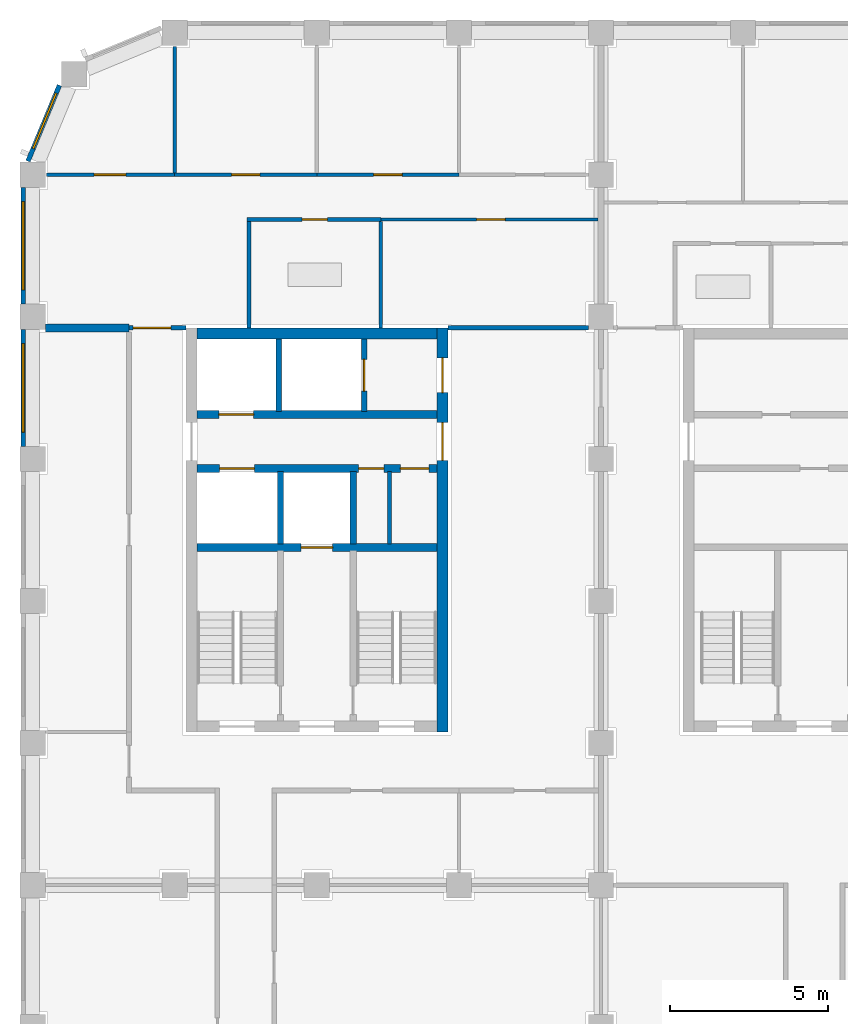
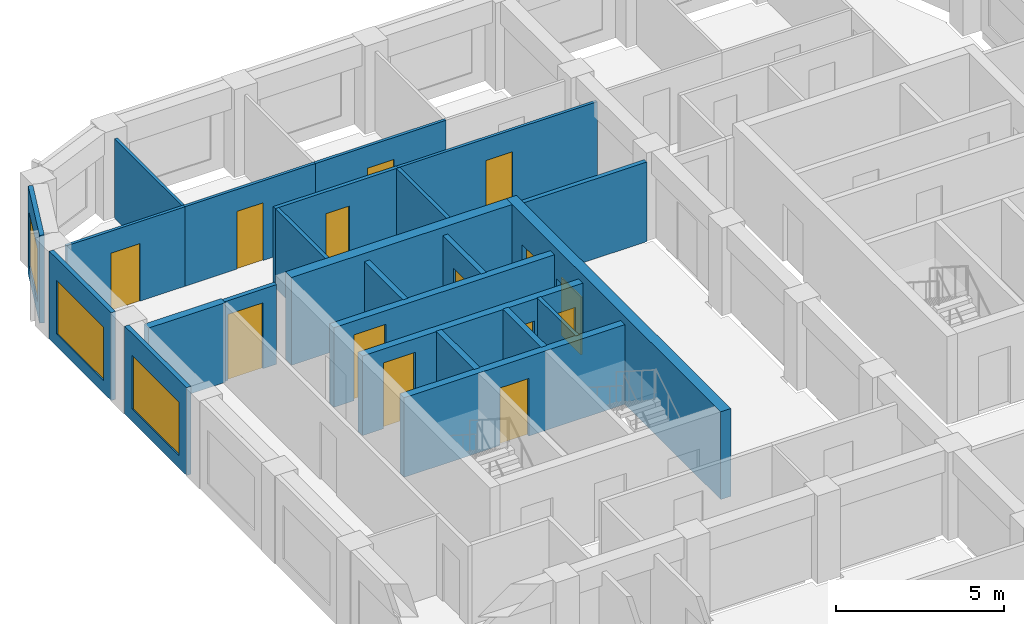
# One storey, part 5 of 9: 24 walls, 14 doors, 3 windows, 17 openings.
"""IFC4 building model written with IfcOpenShell, lengths in metres."""

from ifc_helpers import new_model, si_unit, direction, frame, frame_2d, origin, place, context, subcontext, project, spatial, rectangle, extrude, material, layer, layer_set, type_object, element, fill, save


model = new_model("IFC4")

# Units and contexts
model_context = context("Model", 3, precision=1e-05, world=origin(), true_north=direction((0.0, 1.0)))
body_context = subcontext(model_context, "Body", "Model", "MODEL_VIEW")
ifc_project = project(units=[si_unit("LENGTHUNIT", "METRE"), si_unit("AREAUNIT", "SQUARE_METRE"), si_unit("VOLUMEUNIT", "CUBIC_METRE"), si_unit("PLANEANGLEUNIT", "RADIAN"), si_unit("MASSUNIT", "GRAM", prefix="KILO")], contexts=[model_context])

# Site, building, storey
site_placement = place(None, origin())
site = spatial("IfcSite", under=ifc_project, at=site_placement, CompositionType="ELEMENT")
building_placement = place(site_placement, origin())
building = spatial("IfcBuilding", under=site, at=building_placement, Name="Girih Gate Residences", CompositionType="ELEMENT")
storey_placement = place(building_placement, frame((0.0, 0.0, 179.5)))
storey = spatial("IfcBuildingStorey", under=building, at=storey_placement, Name="L49", CompositionType="ELEMENT", Elevation=179.5)

# Wall
ifc_material_1 = material(Name="Gypsum board on steel studs", Category="steel")
ifc_layer_1 = layer(ifc_material_1, 0.25)
ifc_layer_set_1 = layer_set([ifc_layer_1], Name="Acoustic separating wall 250 mm")
wall_type_1 = type_object("IfcWallType", Name="Acoustic separating wall 250 mm", PredefinedType="PARTITIONING", material=ifc_layer_set_1)
wall_1_placement = place(storey_placement, frame((0.39990234375, 40.14990234375, 0.0), z_axis=(0.0, 0.0, 1.0), x_axis=(1.0, 0.0, 0.0)))
element("IfcWall", 1, at=wall_1_placement, inside=storey, type_object=wall_type_1, Name="L49 partition", PredefinedType="PARTITIONING", context=body_context, shape_type="SweptSolid", body=[
    extrude(rectangle(XDim=2.650146484375, YDim=0.25, at=frame_2d((1.3251953125, 0.0))), origin(), (0.0, 0.0, 1.0), 2.89990234375),
])

# Wall, opening, door
ifc_layer_2 = layer(ifc_material_1, 0.14990234375)
ifc_layer_set_2 = layer_set([ifc_layer_2], Name="Compartment wall 150 mm")
wall_type_2 = type_object("IfcWallType", Name="Compartment wall 150 mm", PredefinedType="PARTITIONING", material=ifc_layer_set_2)
wall_2_placement = place(storey_placement, frame((3.050048828125, 40.14990234375, 0.0), z_axis=(0.0, 0.0, 1.0), x_axis=(1.0, 0.0, 0.0)))
wall_2 = element("IfcWall", 2, at=wall_2_placement, inside=storey, type_object=wall_type_2, Name="L49 partition", PredefinedType="PARTITIONING", context=body_context, shape_type="SweptSolid", body=[
    extrude(rectangle(XDim=1.800048828125, YDim=0.14990234375, at=frame_2d((0.89990234375, 0.0))), origin(), (0.0, 0.0, 1.0), 2.89990234375),
])
opening_1_placement = place(wall_2_placement, frame((0.1298828125, 0.0, 0.0)))
opening_1 = element("IfcOpeningElement", 3, at=opening_1_placement, cuts=wall_2, Name="Opening A49-014", PredefinedType="OPENING", context=body_context, shape_type="SweptSolid", body=[
    extrude(rectangle(XDim=1.199951171875, YDim=2.39990234375, at=frame_2d((0.60009765625, 1.199951171875))), frame((0.0, 0.0849609375, 0.0), z_axis=(0.0, -1.0, 0.0), x_axis=(1.0, 0.0, 0.0)), (0.0, 0.0, 1.0), 0.169921875),
])
ifc_material_2 = material(Name="Timber, fire-rated core", Category="wood")
door_type_1 = type_object("IfcDoorType", Name="Villa entrance door 1200x2400 FD30S", OperationType="NOTDEFINED", PredefinedType="DOOR", material=ifc_material_2)
door_1_placement = place(opening_1_placement, origin())
door_1 = element("IfcDoor", 4, at=door_1_placement, inside=storey, type_object=door_type_1, Name="Door A49-014", OperationType="SINGLE_SWING_LEFT", OverallHeight=2.39990234375, OverallWidth=1.199951171875, PredefinedType="DOOR", context=body_context, shape_type="SweptSolid", body=[
    extrude(rectangle(XDim=1.199951171875, YDim=2.39990234375, at=frame_2d((0.60009765625, 1.199951171875))), frame((0.0, 0.02490234375, 0.0), z_axis=(0.0, -1.0, 0.0), x_axis=(1.0, 0.0, 0.0)), (0.0, 0.0, 1.0), 0.050048828125),
])
fill(opening_1, door_1)

# Walls
wall_3_placement = place(storey_placement, frame((13.14990234375, 40.14990234375, 0.0), z_axis=(0.0, 0.0, 1.0), x_axis=(1.0, 0.0, 0.0)))
element("IfcWall", 5, at=wall_3_placement, inside=storey, type_object=wall_type_2, Name="L49 partition", PredefinedType="PARTITIONING", context=body_context, shape_type="SweptSolid", body=[
    extrude(rectangle(XDim=4.4501953125, YDim=0.14990234375, at=frame_2d((2.22509765625, 0.0))), origin(), (0.0, 0.0, 1.0), 2.89990234375),
])
ifc_material_3 = material(Name="Concrete C60/75", Category="concrete")
ifc_layer_3 = layer(ifc_material_3, 0.35009765625)
ifc_layer_set_3 = layer_set([ifc_layer_3], Name="Core wall RC 350 Concrete C60/75")
wall_type_3 = type_object("IfcWallType", Name="Core wall RC 350 Concrete C60/75", PredefinedType="SOLIDWALL", material=ifc_layer_set_3)
wall_4_placement = place(storey_placement, frame((5.199951171875, 39.97509765625, 0.0), z_axis=(0.0, 0.0, 1.0), x_axis=(1.0, 0.0, 0.0)))
element("IfcWall", 6, at=wall_4_placement, inside=storey, type_object=wall_type_3, Name="Core wall W-N L49", PredefinedType="SOLIDWALL", context=body_context, shape_type="SweptSolid", body=[
    extrude(rectangle(XDim=7.60009765625, YDim=0.35009765625, at=frame_2d((3.800048828125, 0.0))), origin(), (0.0, 0.0, 1.0), 3.199951171875),
])

# Wall, openings, doors
wall_5_placement = place(storey_placement, frame((12.97509765625, 27.35009765625, 0.0), z_axis=(0.0, 0.0, 1.0), x_axis=(0.0, 1.0, 0.0)))
wall_5 = element("IfcWall", 7, at=wall_5_placement, inside=storey, type_object=wall_type_3, Name="Core wall W-E L49", PredefinedType="SOLIDWALL", context=body_context, shape_type="SweptSolid", body=[
    extrude(rectangle(XDim=12.7998046875, YDim=0.35009765625, at=frame_2d((6.39990234375, 0.0))), origin(), (0.0, 0.0, 1.0), 3.199951171875),
])
opening_2_placement = place(wall_5_placement, frame((10.75, 0.0, 0.0)))
opening_2 = element("IfcOpeningElement", 8, at=opening_2_placement, cuts=wall_5, Name="Opening D-L49-W-012", PredefinedType="OPENING", context=body_context, shape_type="SweptSolid", body=[
    extrude(rectangle(XDim=1.10009765625, YDim=2.10009765625, at=frame_2d((0.550048828125, 1.050048828125))), frame((0.0, 0.18505859375, 0.0), z_axis=(0.0, -1.0, 0.0), x_axis=(1.0, 0.0, 0.0)), (0.0, 0.0, 1.0), 0.3701171875),
])
opening_3_placement = place(wall_5_placement, frame((8.60009765625, 0.0, 0.0)))
opening_3 = element("IfcOpeningElement", 9, at=opening_3_placement, cuts=wall_5, Name="Opening D-L49-W-014", PredefinedType="OPENING", context=body_context, shape_type="SweptSolid", body=[
    extrude(rectangle(XDim=1.199951171875, YDim=2.10009765625, at=frame_2d((0.60009765625, 1.050048828125))), frame((0.0, 0.18505859375, 0.0), z_axis=(0.0, -1.0, 0.0), x_axis=(1.0, 0.0, 0.0)), (0.0, 0.0, 1.0), 0.3701171875),
])
ifc_material_4 = material(Name="Painted steel, fire-resisting", Category="steel")
door_type_2 = type_object("IfcDoorType", Name="Fire door 1100x2100", OperationType="SINGLE_SWING_LEFT", PredefinedType="DOOR", material=ifc_material_4)
door_2_placement = place(opening_2_placement, origin())
door_2 = element("IfcDoor", 10, at=door_2_placement, inside=storey, type_object=door_type_2, Name="L49 W core door ffl2-e", OperationType="SINGLE_SWING_LEFT", OverallHeight=2.10009765625, OverallWidth=1.10009765625, PredefinedType="DOOR", context=body_context, shape_type="SweptSolid", body=[
    extrude(rectangle(XDim=1.10009765625, YDim=2.10009765625, at=frame_2d((0.550048828125, 1.050048828125))), frame((0.0, 0.02490234375, 0.0), z_axis=(0.0, -1.0, 0.0), x_axis=(1.0, 0.0, 0.0)), (0.0, 0.0, 1.0), 0.050048828125),
])
fill(opening_2, door_2)
door_type_3 = type_object("IfcDoorType", Name="Fire door 1200x2100", OperationType="SINGLE_SWING_LEFT", PredefinedType="DOOR", material=ifc_material_4)
door_3_placement = place(opening_3_placement, origin())
door_3 = element("IfcDoor", 11, at=door_3_placement, inside=storey, type_object=door_type_3, Name="L49 W core door ll-e", OperationType="SINGLE_SWING_LEFT", OverallHeight=2.10009765625, OverallWidth=1.199951171875, PredefinedType="DOOR", context=body_context, shape_type="SweptSolid", body=[
    extrude(rectangle(XDim=1.199951171875, YDim=2.10009765625, at=frame_2d((0.60009765625, 1.050048828125))), frame((0.0, 0.02490234375, 0.0), z_axis=(0.0, -1.0, 0.0), x_axis=(1.0, 0.0, 0.0)), (0.0, 0.0, 1.0), 0.050048828125),
])
fill(opening_3, door_3)

# Wall, opening, door
ifc_material_5 = material(Name="Concrete C40/50", Category="concrete")
ifc_layer_4 = layer(ifc_material_5, 0.25)
ifc_layer_set_4 = layer_set([ifc_layer_4], Name="Lift shaft wall 250")
wall_type_4 = type_object("IfcWallType", Name="Lift shaft wall 250", PredefinedType="SOLIDWALL", material=ifc_layer_set_4)
wall_6_placement = place(storey_placement, frame((5.199951171875, 33.199951171875, 0.0), z_axis=(0.0, 0.0, 1.0), x_axis=(1.0, 0.0, 0.0)))
wall_6 = element("IfcWall", 12, at=wall_6_placement, inside=storey, type_object=wall_type_4, Name="L49 W core wall H1", PredefinedType="SOLIDWALL", context=body_context, shape_type="SweptSolid", body=[
    extrude(rectangle(XDim=7.60009765625, YDim=0.25, at=frame_2d((3.800048828125, 0.0))), origin(), (0.0, 0.0, 1.0), 2.89990234375),
])
opening_4_placement = place(wall_6_placement, frame((3.300048828125, 0.0, 0.0)))
opening_4 = element("IfcOpeningElement", 13, at=opening_4_placement, cuts=wall_6, Name="Opening D-L49-W-006", PredefinedType="OPENING", context=body_context, shape_type="SweptSolid", body=[
    extrude(rectangle(XDim=1.0, YDim=2.10009765625, at=frame_2d((0.5, 1.050048828125))), frame((0.0, 0.135009765625, 0.0), z_axis=(0.0, -1.0, 0.0), x_axis=(1.0, 0.0, 0.0)), (0.0, 0.0, 1.0), 0.27001953125),
])
ifc_material_6 = material(Name="Stainless steel, fire-resisting", Category="steel")
door_type_4 = type_object("IfcDoorType", Name="Firefighting lift landing door 1000x2100", OperationType="SLIDING_TO_LEFT", PredefinedType="DOOR", material=ifc_material_6)
door_4_placement = place(opening_4_placement, origin())
door_4 = element("IfcDoor", 14, at=door_4_placement, inside=storey, type_object=door_type_4, Name="L49 lift FF-W landing door", OperationType="SLIDING_TO_LEFT", OverallHeight=2.10009765625, OverallWidth=1.0, PredefinedType="DOOR", context=body_context, shape_type="SweptSolid", body=[
    extrude(rectangle(XDim=1.0, YDim=2.10009765625, at=frame_2d((0.5, 1.050048828125))), frame((0.0, 0.02490234375, 0.0), z_axis=(0.0, -1.0, 0.0), x_axis=(1.0, 0.0, 0.0)), (0.0, 0.0, 1.0), 0.050048828125),
])
fill(opening_4, door_4)

# Wall, openings, doors
wall_7_placement = place(storey_placement, frame((5.199951171875, 35.699951171875, 0.0), z_axis=(0.0, 0.0, 1.0), x_axis=(1.0, 0.0, 0.0)))
wall_7 = element("IfcWall", 15, at=wall_7_placement, inside=storey, type_object=wall_type_4, Name="L49 W core wall H2", PredefinedType="SOLIDWALL", context=body_context, shape_type="SweptSolid", body=[
    extrude(rectangle(XDim=7.60009765625, YDim=0.25, at=frame_2d((3.800048828125, 0.0))), origin(), (0.0, 0.0, 1.0), 2.89990234375),
])
opening_5_placement = place(wall_7_placement, frame((0.72509765625, 0.0, 0.0)))
opening_5 = element("IfcOpeningElement", 16, at=opening_5_placement, cuts=wall_7, Name="Opening D-L49-W-005", PredefinedType="OPENING", context=body_context, shape_type="SweptSolid", body=[
    extrude(rectangle(XDim=1.10009765625, YDim=2.39990234375, at=frame_2d((0.550048828125, 1.199951171875))), frame((0.0, 0.135009765625, 0.0), z_axis=(0.0, -1.0, 0.0), x_axis=(1.0, 0.0, 0.0)), (0.0, 0.0, 1.0), 0.27001953125),
])
opening_6_placement = place(wall_7_placement, frame((5.125, 0.0, 0.0)))
opening_6 = element("IfcOpeningElement", 17, at=opening_6_placement, cuts=wall_7, Name="Opening D-L49-W-007", PredefinedType="OPENING", context=body_context, shape_type="SweptSolid", body=[
    extrude(rectangle(XDim=0.800048828125, YDim=2.10009765625, at=frame_2d((0.39990234375, 1.050048828125))), frame((0.0, 0.135009765625, 0.0), z_axis=(0.0, -1.0, 0.0), x_axis=(1.0, 0.0, 0.0)), (0.0, 0.0, 1.0), 0.27001953125),
])
opening_7_placement = place(wall_7_placement, frame((6.449951171875, 0.0, 0.0)))
opening_7 = element("IfcOpeningElement", 18, at=opening_7_placement, cuts=wall_7, Name="Opening D-L49-W-008", PredefinedType="OPENING", context=body_context, shape_type="SweptSolid", body=[
    extrude(rectangle(XDim=0.89990234375, YDim=2.10009765625, at=frame_2d((0.449951171875, 1.050048828125))), frame((0.0, 0.135009765625, 0.0), z_axis=(0.0, -1.0, 0.0), x_axis=(1.0, 0.0, 0.0)), (0.0, 0.0, 1.0), 0.27001953125),
])
door_type_5 = type_object("IfcDoorType", Name="Fire door 800x2100", OperationType="SINGLE_SWING_LEFT", PredefinedType="DOOR", material=ifc_material_4)
door_5_placement = place(opening_6_placement, origin())
door_5 = element("IfcDoor", 19, at=door_5_placement, inside=storey, type_object=door_type_5, Name="L49 W linen store door", OperationType="SINGLE_SWING_LEFT", OverallHeight=2.10009765625, OverallWidth=0.800048828125, PredefinedType="DOOR", context=body_context, shape_type="SweptSolid", body=[
    extrude(rectangle(XDim=0.800048828125, YDim=2.10009765625, at=frame_2d((0.39990234375, 1.050048828125))), frame((0.0, 0.02490234375, 0.0), z_axis=(0.0, -1.0, 0.0), x_axis=(1.0, 0.0, 0.0)), (0.0, 0.0, 1.0), 0.050048828125),
])
fill(opening_6, door_5)
door_type_6 = type_object("IfcDoorType", Name="Fire door 900x2100", OperationType="SINGLE_SWING_LEFT", PredefinedType="DOOR", material=ifc_material_4)
door_6_placement = place(opening_7_placement, origin())
door_6 = element("IfcDoor", 20, at=door_6_placement, inside=storey, type_object=door_type_6, Name="L49 W store door", OperationType="SINGLE_SWING_LEFT", OverallHeight=2.10009765625, OverallWidth=0.89990234375, PredefinedType="DOOR", context=body_context, shape_type="SweptSolid", body=[
    extrude(rectangle(XDim=0.89990234375, YDim=2.10009765625, at=frame_2d((0.449951171875, 1.050048828125))), frame((0.0, 0.02490234375, 0.0), z_axis=(0.0, -1.0, 0.0), x_axis=(1.0, 0.0, 0.0)), (0.0, 0.0, 1.0), 0.050048828125),
])
fill(opening_7, door_6)
ifc_material_7 = material(Name="Stainless steel", Category="steel")
door_type_7 = type_object("IfcDoorType", Name="Lift landing door 1100x2400", OperationType="SLIDING_TO_LEFT", PredefinedType="DOOR", material=ifc_material_7)
door_7_placement = place(opening_5_placement, origin())
door_7 = element("IfcDoor", 21, at=door_7_placement, inside=storey, type_object=door_type_7, Name="L49 lift HR-W1 landing door", OperationType="SLIDING_TO_LEFT", OverallHeight=2.39990234375, OverallWidth=1.10009765625, PredefinedType="DOOR", context=body_context, shape_type="SweptSolid", body=[
    extrude(rectangle(XDim=1.10009765625, YDim=2.39990234375, at=frame_2d((0.550048828125, 1.199951171875))), frame((0.0, 0.02490234375, 0.0), z_axis=(0.0, -1.0, 0.0), x_axis=(1.0, 0.0, 0.0)), (0.0, 0.0, 1.0), 0.050048828125),
])
fill(opening_5, door_7)

# Wall, opening, door
wall_8_placement = place(storey_placement, frame((5.199951171875, 37.39990234375, 0.0), z_axis=(0.0, 0.0, 1.0), x_axis=(1.0, 0.0, 0.0)))
wall_8 = element("IfcWall", 22, at=wall_8_placement, inside=storey, type_object=wall_type_4, Name="L49 W core wall H3", PredefinedType="SOLIDWALL", context=body_context, shape_type="SweptSolid", body=[
    extrude(rectangle(XDim=7.60009765625, YDim=0.25, at=frame_2d((3.800048828125, 0.0))), origin(), (0.0, 0.0, 1.0), 2.89990234375),
])
opening_8_placement = place(wall_8_placement, frame((0.699951171875, 0.0, 0.0)))
opening_8 = element("IfcOpeningElement", 23, at=opening_8_placement, cuts=wall_8, Name="Opening D-L49-W-003", PredefinedType="OPENING", context=body_context, shape_type="SweptSolid", body=[
    extrude(rectangle(XDim=1.10009765625, YDim=2.39990234375, at=frame_2d((0.550048828125, 1.199951171875))), frame((0.0, 0.135009765625, 0.0), z_axis=(0.0, -1.0, 0.0), x_axis=(1.0, 0.0, 0.0)), (0.0, 0.0, 1.0), 0.27001953125),
])
door_8_placement = place(opening_8_placement, origin())
door_8 = element("IfcDoor", 24, at=door_8_placement, inside=storey, type_object=door_type_7, Name="L49 lift LR-W1 landing door", OperationType="SLIDING_TO_LEFT", OverallHeight=2.39990234375, OverallWidth=1.10009765625, PredefinedType="DOOR", context=body_context, shape_type="SweptSolid", body=[
    extrude(rectangle(XDim=1.10009765625, YDim=2.39990234375, at=frame_2d((0.550048828125, 1.199951171875))), frame((0.0, 0.02490234375, 0.0), z_axis=(0.0, -1.0, 0.0), x_axis=(1.0, 0.0, 0.0)), (0.0, 0.0, 1.0), 0.050048828125),
])
fill(opening_8, door_8)

ifc_layer_5 = layer(ifc_material_1, 0.10009765625)
ifc_layer_set_5 = layer_set([ifc_layer_5], Name="Partition 100 mm")
wall_type_5 = type_object("IfcWallType", Name="Partition 100 mm", PredefinedType="PARTITIONING", material=ifc_layer_set_5)
wall_9_placement = place(storey_placement, frame((4.5, 45.0, 0.0), z_axis=(0.0, 0.0, 1.0), x_axis=(1.0, 0.0, 0.0)))
wall_9 = element("IfcWall", 25, at=wall_9_placement, inside=storey, type_object=wall_type_5, Name="L49 partition", PredefinedType="PARTITIONING", context=body_context, shape_type="SweptSolid", body=[
    extrude(rectangle(XDim=4.5, YDim=0.10009765625, at=frame_2d((2.25, 0.0))), origin(), (0.0, 0.0, 1.0), 2.89990234375),
])
opening_9_placement = place(wall_9_placement, frame((1.800048828125, 0.0, 0.0)))
opening_9 = element("IfcOpeningElement", 26, at=opening_9_placement, cuts=wall_9, Name="Opening A49-009", PredefinedType="OPENING", context=body_context, shape_type="SweptSolid", body=[
    extrude(rectangle(XDim=0.89990234375, YDim=2.10009765625, at=frame_2d((0.449951171875, 1.050048828125))), frame((0.0, 0.06005859375, 0.0), z_axis=(0.0, -1.0, 0.0), x_axis=(1.0, 0.0, 0.0)), (0.0, 0.0, 1.0), 0.1201171875),
])
ifc_material_8 = material(Name="Timber", Category="wood")
door_type_8 = type_object("IfcDoorType", Name="Bedroom door 900x2100", OperationType="NOTDEFINED", PredefinedType="DOOR", material=ifc_material_8)
door_9_placement = place(opening_9_placement, origin())
door_9 = element("IfcDoor", 27, at=door_9_placement, inside=storey, type_object=door_type_8, Name="Door A49-009", OperationType="SINGLE_SWING_LEFT", OverallHeight=2.10009765625, OverallWidth=0.89990234375, PredefinedType="DOOR", context=body_context, shape_type="SweptSolid", body=[
    extrude(rectangle(XDim=0.89990234375, YDim=2.10009765625, at=frame_2d((0.449951171875, 1.050048828125))), frame((0.0, 0.02490234375, 0.0), z_axis=(0.0, -1.0, 0.0), x_axis=(1.0, 0.0, 0.0)), (0.0, 0.0, 1.0), 0.050048828125),
])
fill(opening_9, door_9)

# Wall
wall_10_placement = place(storey_placement, frame((4.5, 45.050048828125, 0.0), z_axis=(0.0, 0.0, 1.0), x_axis=(0.0, 1.0, 0.0)))
element("IfcWall", 28, at=wall_10_placement, inside=storey, type_object=wall_type_5, Name="L49 partition", PredefinedType="PARTITIONING", context=body_context, shape_type="SweptSolid", body=[
    extrude(rectangle(XDim=4.01708984375, YDim=0.10009765625, at=frame_2d((2.008544921875, 0.0))), origin(), (0.0, 0.0, 1.0), 2.89990234375),
])

# Wall, opening, door
wall_11_placement = place(storey_placement, frame((9.0, 45.0, 0.0), z_axis=(0.0, 0.0, 1.0), x_axis=(1.0, 0.0, 0.0)))
wall_11 = element("IfcWall", 29, at=wall_11_placement, inside=storey, type_object=wall_type_5, Name="L49 partition", PredefinedType="PARTITIONING", context=body_context, shape_type="SweptSolid", body=[
    extrude(rectangle(XDim=4.5, YDim=0.10009765625, at=frame_2d((2.25, 0.0))), origin(), (0.0, 0.0, 1.0), 2.89990234375),
])
opening_10_placement = place(wall_11_placement, frame((1.800048828125, 0.0, 0.0)))
opening_10 = element("IfcOpeningElement", 30, at=opening_10_placement, cuts=wall_11, Name="Opening A49-010", PredefinedType="OPENING", context=body_context, shape_type="SweptSolid", body=[
    extrude(rectangle(XDim=0.89990234375, YDim=2.10009765625, at=frame_2d((0.449951171875, 1.050048828125))), frame((0.0, 0.06005859375, 0.0), z_axis=(0.0, -1.0, 0.0), x_axis=(1.0, 0.0, 0.0)), (0.0, 0.0, 1.0), 0.1201171875),
])
door_10_placement = place(opening_10_placement, origin())
door_10 = element("IfcDoor", 31, at=door_10_placement, inside=storey, type_object=door_type_8, Name="Door A49-010", OperationType="SINGLE_SWING_LEFT", OverallHeight=2.10009765625, OverallWidth=0.89990234375, PredefinedType="DOOR", context=body_context, shape_type="SweptSolid", body=[
    extrude(rectangle(XDim=0.89990234375, YDim=2.10009765625, at=frame_2d((0.449951171875, 1.050048828125))), frame((0.0, 0.02490234375, 0.0), z_axis=(0.0, -1.0, 0.0), x_axis=(1.0, 0.0, 0.0)), (0.0, 0.0, 1.0), 0.050048828125),
])
fill(opening_10, door_10)

wall_12_placement = place(storey_placement, frame((17.89990234375, 43.580078125, 0.0), z_axis=(0.0, 0.0, 1.0), x_axis=(-1.0, 0.0, 0.0)))
wall_12 = element("IfcWall", 32, at=wall_12_placement, inside=storey, type_object=wall_type_5, Name="L49 partition", PredefinedType="PARTITIONING", context=body_context, shape_type="SweptSolid", body=[
    extrude(rectangle(XDim=6.873779296875, YDim=0.10009765625, at=frame_2d((3.43701171875, 0.0))), origin(), (0.0, 0.0, 1.0), 2.89990234375),
])
opening_11_placement = place(wall_12_placement, frame((2.93701171875, 0.0, 0.0)))
opening_11 = element("IfcOpeningElement", 33, at=opening_11_placement, cuts=wall_12, Name="Opening A49-012", PredefinedType="OPENING", context=body_context, shape_type="SweptSolid", body=[
    extrude(rectangle(XDim=0.89990234375, YDim=2.10009765625, at=frame_2d((0.449951171875, 1.050048828125))), frame((0.0, 0.06005859375, 0.0), z_axis=(0.0, -1.0, 0.0), x_axis=(1.0, 0.0, 0.0)), (0.0, 0.0, 1.0), 0.1201171875),
])
door_type_9 = type_object("IfcDoorType", Name="Kitchen door 900x2100", OperationType="NOTDEFINED", PredefinedType="DOOR", material=ifc_material_8)
door_11_placement = place(opening_11_placement, origin())
door_11 = element("IfcDoor", 34, at=door_11_placement, inside=storey, type_object=door_type_9, Name="Door A49-012", OperationType="SINGLE_SWING_LEFT", OverallHeight=2.10009765625, OverallWidth=0.89990234375, PredefinedType="DOOR", context=body_context, shape_type="SweptSolid", body=[
    extrude(rectangle(XDim=0.89990234375, YDim=2.10009765625, at=frame_2d((0.449951171875, 1.050048828125))), frame((0.0, 0.02490234375, 0.0), z_axis=(0.0, -1.0, 0.0), x_axis=(1.0, 0.0, 0.0)), (0.0, 0.0, 1.0), 0.050048828125),
])
fill(opening_11, door_11)

wall_13_placement = place(storey_placement, frame((0.432861328125, 45.0, 0.0), z_axis=(0.0, 0.0, 1.0), x_axis=(1.0, 0.0, 0.0)))
wall_13 = element("IfcWall", 35, at=wall_13_placement, inside=storey, type_object=wall_type_5, Name="L49 partition", PredefinedType="PARTITIONING", context=body_context, shape_type="SweptSolid", body=[
    extrude(rectangle(XDim=4.067138671875, YDim=0.10009765625, at=frame_2d((2.03369140625, 0.0))), origin(), (0.0, 0.0, 1.0), 2.89990234375),
])
opening_12_placement = place(wall_13_placement, frame((1.51708984375, 0.0, 0.0)))
opening_12 = element("IfcOpeningElement", 36, at=opening_12_placement, cuts=wall_13, Name="Opening A49-013", PredefinedType="OPENING", context=body_context, shape_type="SweptSolid", body=[
    extrude(rectangle(XDim=1.0, YDim=2.10009765625, at=frame_2d((0.5, 1.050048828125))), frame((0.0, 0.06005859375, 0.0), z_axis=(0.0, -1.0, 0.0), x_axis=(1.0, 0.0, 0.0)), (0.0, 0.0, 1.0), 0.1201171875),
])
door_type_10 = type_object("IfcDoorType", Name="Living room door 1000x2100", OperationType="NOTDEFINED", PredefinedType="DOOR", material=ifc_material_8)
door_12_placement = place(opening_12_placement, origin())
door_12 = element("IfcDoor", 37, at=door_12_placement, inside=storey, type_object=door_type_10, Name="Door A49-013", OperationType="SINGLE_SWING_LEFT", OverallHeight=2.10009765625, OverallWidth=1.0, PredefinedType="DOOR", context=body_context, shape_type="SweptSolid", body=[
    extrude(rectangle(XDim=1.0, YDim=2.10009765625, at=frame_2d((0.5, 1.050048828125))), frame((0.0, 0.02490234375, 0.0), z_axis=(0.0, -1.0, 0.0), x_axis=(1.0, 0.0, 0.0)), (0.0, 0.0, 1.0), 0.050048828125),
])
fill(opening_12, door_12)

# Wall, opening, window
ifc_material_9 = material(Name="Precast concrete C50/60", Category="concrete")
ifc_layer_6 = layer(ifc_material_9, 0.050048828125, Name="Outer leaf")
ifc_material_10 = material(Name="Rigid PIR insulation")
ifc_layer_7 = layer(ifc_material_10, 0.06005859375, Name="Insulation")
ifc_material_11 = material(Name="Precast concrete C40/50", Category="concrete")
ifc_layer_8 = layer(ifc_material_11, 0.0400390625, Name="Inner leaf")
ifc_layer_set_6 = layer_set([ifc_layer_6, ifc_layer_7, ifc_layer_8], Name="Precast concrete C50/60 external wall 150")
wall_type_6 = type_object("IfcWallType", Name="Precast concrete C50/60 external wall 150", PredefinedType="SOLIDWALL", material=ifc_layer_set_6)
wall_14_placement = place(storey_placement, frame((-0.147216796875, 45.4287109375, 0.0), z_axis=(0.0, 0.0, 1.0), x_axis=(0.382669406082, 0.923885342263, 0.0)))
wall_14 = element("IfcWall", 38, at=wall_14_placement, inside=storey, type_object=wall_type_6, Name="External wall NW0013_0482.0", PredefinedType="SOLIDWALL", context=body_context, shape_type="SweptSolid", body=[
    extrude(rectangle(XDim=2.602294921875, YDim=0.14990234375, at=frame_2d((1.30126953125, 0.0))), origin(), (0.0, 0.0, 1.0), 3.199951171875),
])
opening_13_placement = place(wall_14_placement, frame((0.432373046875, 0.0, 0.449951171875)))
opening_13 = element("IfcOpeningElement", 39, at=opening_13_placement, cuts=wall_14, Name="Opening W-2G", PredefinedType="OPENING", context=body_context, shape_type="SweptSolid", body=[
    extrude(rectangle(XDim=1.89990234375, YDim=1.949951171875, at=frame_2d((0.949951171875, 0.97509765625))), frame((0.0, 0.0849609375, 0.0), z_axis=(0.0, -1.0, 0.0), x_axis=(1.0, 0.0, 0.0)), (0.0, 0.0, 1.0), 0.169921875),
])
ifc_material_12 = material(Name="Double glazing in aluminium frame", Category="aluminium")
window_type_1 = type_object("IfcWindowType", Name="Window W-2G 1900x1950", PartitioningType="SINGLE_PANEL", PredefinedType="WINDOW", material=ifc_material_12)
window_1_placement = place(opening_13_placement, origin())
window_1 = element("IfcWindow", 40, at=window_1_placement, inside=storey, type_object=window_type_1, Name="Window W-2G NW0013_0482.0", OverallHeight=1.949951171875, OverallWidth=1.89990234375, PartitioningType="SINGLE_PANEL", PredefinedType="WINDOW", context=body_context, shape_type="SweptSolid", body=[
    extrude(rectangle(XDim=1.89990234375, YDim=1.949951171875, at=frame_2d((0.949951171875, 0.97509765625))), frame((0.0, 0.030029296875, 0.0), z_axis=(0.0, -1.0, 0.0), x_axis=(1.0, 0.0, 0.0)), (0.0, 0.0, 1.0), 0.06005859375),
])
fill(opening_13, window_1)

wall_15_placement = place(storey_placement, frame((-0.300048828125, 40.89990234375, 0.0), z_axis=(0.0, 0.0, 1.0), x_axis=(0.0, 1.0, 0.0)))
wall_15 = element("IfcWall", 41, at=wall_15_placement, inside=storey, type_object=wall_type_6, Name="External wall W0000_0450.0", PredefinedType="SOLIDWALL", context=body_context, shape_type="SweptSolid", body=[
    extrude(rectangle(XDim=3.7001953125, YDim=0.14990234375, at=frame_2d((1.85009765625, 0.0))), origin(), (0.0, 0.0, 1.0), 3.199951171875),
])
opening_14_placement = place(wall_15_placement, frame((0.449951171875, 0.0, 0.449951171875)))
opening_14 = element("IfcOpeningElement", 42, at=opening_14_placement, cuts=wall_15, Name="Opening W-1B", PredefinedType="OPENING", context=body_context, shape_type="SweptSolid", body=[
    extrude(rectangle(XDim=2.800048828125, YDim=1.949951171875, at=frame_2d((1.39990234375, 0.97509765625))), frame((0.0, 0.0849609375, 0.0), z_axis=(0.0, -1.0, 0.0), x_axis=(1.0, 0.0, 0.0)), (0.0, 0.0, 1.0), 0.169921875),
])
window_type_2 = type_object("IfcWindowType", Name="Window W-1B 2800x1950", PartitioningType="SINGLE_PANEL", PredefinedType="WINDOW", material=ifc_material_12)
window_2_placement = place(opening_14_placement, origin())
window_2 = element("IfcWindow", 43, at=window_2_placement, inside=storey, type_object=window_type_2, Name="Window W-1B W0000_0450.0", OverallHeight=1.949951171875, OverallWidth=2.800048828125, PartitioningType="SINGLE_PANEL", PredefinedType="WINDOW", context=body_context, shape_type="SweptSolid", body=[
    extrude(rectangle(XDim=2.800048828125, YDim=1.949951171875, at=frame_2d((1.39990234375, 0.97509765625))), frame((0.0, 0.030029296875, 0.0), z_axis=(0.0, -1.0, 0.0), x_axis=(1.0, 0.0, 0.0)), (0.0, 0.0, 1.0), 0.06005859375),
])
fill(opening_14, window_2)

wall_16_placement = place(storey_placement, frame((-0.300048828125, 36.39990234375, 0.0), z_axis=(0.0, 0.0, 1.0), x_axis=(0.0, 1.0, 0.0)))
wall_16 = element("IfcWall", 44, at=wall_16_placement, inside=storey, type_object=wall_type_6, Name="External wall W0000_0450.1", PredefinedType="SOLIDWALL", context=body_context, shape_type="SweptSolid", body=[
    extrude(rectangle(XDim=3.7001953125, YDim=0.14990234375, at=frame_2d((1.85009765625, 0.0))), origin(), (0.0, 0.0, 1.0), 3.199951171875),
])
opening_15_placement = place(wall_16_placement, frame((0.449951171875, 0.0, 0.449951171875)))
opening_15 = element("IfcOpeningElement", 45, at=opening_15_placement, cuts=wall_16, Name="Opening W-1B", PredefinedType="OPENING", context=body_context, shape_type="SweptSolid", body=[
    extrude(rectangle(XDim=2.800048828125, YDim=1.949951171875, at=frame_2d((1.39990234375, 0.97509765625))), frame((0.0, 0.0849609375, 0.0), z_axis=(0.0, -1.0, 0.0), x_axis=(1.0, 0.0, 0.0)), (0.0, 0.0, 1.0), 0.169921875),
])
window_3_placement = place(opening_15_placement, origin())
window_3 = element("IfcWindow", 46, at=window_3_placement, inside=storey, type_object=window_type_2, Name="Window W-1B W0000_0450.1", OverallHeight=1.949951171875, OverallWidth=2.800048828125, PartitioningType="SINGLE_PANEL", PredefinedType="WINDOW", context=body_context, shape_type="SweptSolid", body=[
    extrude(rectangle(XDim=2.800048828125, YDim=1.949951171875, at=frame_2d((1.39990234375, 0.97509765625))), frame((0.0, 0.030029296875, 0.0), z_axis=(0.0, -1.0, 0.0), x_axis=(1.0, 0.0, 0.0)), (0.0, 0.0, 1.0), 0.06005859375),
])
fill(opening_15, window_3)

# Wall
ifc_layer_9 = layer(ifc_material_5, 0.175048828125)
ifc_layer_set_7 = layer_set([ifc_layer_9], Name="Riser shaft wall 175")
wall_type_7 = type_object("IfcWallType", Name="Riser shaft wall 175", PredefinedType="SOLIDWALL", material=ifc_layer_set_7)
wall_17_placement = place(storey_placement, frame((7.800048828125, 37.5, 0.0), z_axis=(0.0, 0.0, 1.0), x_axis=(0.0, 1.0, 0.0)))
element("IfcWall", 47, at=wall_17_placement, inside=storey, type_object=wall_type_7, Name="L49 W core wall V1c", PredefinedType="SOLIDWALL", context=body_context, shape_type="SweptSolid", body=[
    extrude(rectangle(XDim=2.300048828125, YDim=0.175048828125, at=frame_2d((1.14990234375, 0.0))), origin(), (0.0, 0.0, 1.0), 2.89990234375),
])

# Wall, opening, door
wall_18_placement = place(storey_placement, frame((10.5, 37.5, 0.0), z_axis=(0.0, 0.0, 1.0), x_axis=(0.0, 1.0, 0.0)))
wall_18 = element("IfcWall", 48, at=wall_18_placement, inside=storey, type_object=wall_type_7, Name="L49 W core wall V2c", PredefinedType="SOLIDWALL", context=body_context, shape_type="SweptSolid", body=[
    extrude(rectangle(XDim=2.300048828125, YDim=0.175048828125, at=frame_2d((1.14990234375, 0.0))), origin(), (0.0, 0.0, 1.0), 2.89990234375),
])
opening_16_placement = place(wall_18_placement, frame((0.64990234375, 0.0, 0.0)))
opening_16 = element("IfcOpeningElement", 49, at=opening_16_placement, cuts=wall_18, Name="Opening D-L49-W-004", PredefinedType="OPENING", context=body_context, shape_type="SweptSolid", body=[
    extrude(rectangle(XDim=1.0, YDim=2.10009765625, at=frame_2d((0.5, 1.050048828125))), frame((0.0, 0.097412109375, 0.0), z_axis=(0.0, -1.0, 0.0), x_axis=(1.0, 0.0, 0.0)), (0.0, 0.0, 1.0), 0.195068359375),
])
door_13_placement = place(opening_16_placement, origin())
door_13 = element("IfcDoor", 50, at=door_13_placement, inside=storey, type_object=door_type_4, Name="L49 lift FF-W2 landing door", OperationType="SLIDING_TO_LEFT", OverallHeight=2.10009765625, OverallWidth=1.0, PredefinedType="DOOR", context=body_context, shape_type="SweptSolid", body=[
    extrude(rectangle(XDim=1.0, YDim=2.10009765625, at=frame_2d((0.5, 1.050048828125))), frame((0.0, 0.02490234375, 0.0), z_axis=(0.0, -1.0, 0.0), x_axis=(1.0, 0.0, 0.0)), (0.0, 0.0, 1.0), 0.050048828125),
])
fill(opening_16, door_13)

# Walls
ifc_layer_10 = layer(ifc_material_5, 0.199951171875)
ifc_layer_set_8 = layer_set([ifc_layer_10], Name="Shaft wall 200")
wall_type_8 = type_object("IfcWallType", Name="Shaft wall 200", PredefinedType="SOLIDWALL", material=ifc_layer_set_8)
for number, where, z_axis, x_axis, name in (
    (51, (7.85009765625, 33.300048828125, 0.0), (0.0, 0.0, 1.0), (0.0, 1.0, 0.0), "L49 W core wall V1b"),
    (52, (10.14990234375, 33.300048828125, 0.0), (0.0, 0.0, 1.0), (0.0, 1.0, 0.0), "L49 W core wall V2b"),
):
    element("IfcWall", number, at=place(storey_placement, frame(where, z_axis=z_axis, x_axis=x_axis)), inside=storey, type_object=wall_type_8, Name=name, PredefinedType="SOLIDWALL", context=body_context, shape_type="SweptSolid", body=[
        extrude(rectangle(XDim=2.300048828125, YDim=0.199951171875, at=frame_2d((1.14990234375, 0.0))), origin(), (0.0, 0.0, 1.0), 2.89990234375),
    ])
ifc_material_13 = material(Name="Calcium silicate blockwork", Category="masonry")
ifc_layer_11 = layer(ifc_material_13, 0.125)
ifc_layer_set_9 = layer_set([ifc_layer_11], Name="Store partition 125")
wall_type_9 = type_object("IfcWallType", Name="Store partition 125", PredefinedType="PARTITIONING", material=ifc_layer_set_9)
wall_19_placement = place(storey_placement, frame((11.300048828125, 33.300048828125, 0.0), z_axis=(0.0, 0.0, 1.0), x_axis=(0.0, 1.0, 0.0)))
element("IfcWall", 53, at=wall_19_placement, inside=storey, type_object=wall_type_9, Name="L49 W core wall SHR2", PredefinedType="PARTITIONING", context=body_context, shape_type="SweptSolid", body=[
    extrude(rectangle(XDim=2.300048828125, YDim=0.125, at=frame_2d((1.14990234375, 0.0))), origin(), (0.0, 0.0, 1.0), 2.89990234375),
])
ifc_layer_12 = layer(ifc_material_1, 0.125)
ifc_layer_set_10 = layer_set([ifc_layer_12], Name="Wet room wall 125 mm")
wall_type_10 = type_object("IfcWallType", Name="Wet room wall 125 mm", PredefinedType="PARTITIONING", material=ifc_layer_set_10)
wall_20_placement = place(storey_placement, frame((6.85009765625, 40.14990234375, 0.0), z_axis=(0.0, 0.0, 1.0), x_axis=(0.0, 1.0, 0.0)))
element("IfcWall", 54, at=wall_20_placement, inside=storey, type_object=wall_type_10, Name="L49 partition", PredefinedType="PARTITIONING", context=body_context, shape_type="SweptSolid", body=[
    extrude(rectangle(XDim=3.36767578125, YDim=0.125, at=frame_2d((1.683837890625, 0.0))), origin(), (0.0, 0.0, 1.0), 2.89990234375),
])

# Wall, opening, door
wall_21_placement = place(storey_placement, frame((11.026123046875, 43.580078125, 0.0), z_axis=(0.0, 0.0, 1.0), x_axis=(-1.0, 0.0, 0.0)))
wall_21 = element("IfcWall", 55, at=wall_21_placement, inside=storey, type_object=wall_type_10, Name="L49 partition", PredefinedType="PARTITIONING", context=body_context, shape_type="SweptSolid", body=[
    extrude(rectangle(XDim=4.238525390625, YDim=0.125, at=frame_2d((2.119140625, 0.0))), origin(), (0.0, 0.0, 1.0), 2.89990234375),
])
opening_17_placement = place(wall_21_placement, frame((1.68798828125, 0.0, 0.0)))
opening_17 = element("IfcOpeningElement", 56, at=opening_17_placement, cuts=wall_21, Name="Opening A49-008", PredefinedType="OPENING", context=body_context, shape_type="SweptSolid", body=[
    extrude(rectangle(XDim=0.800048828125, YDim=2.10009765625, at=frame_2d((0.39990234375, 1.050048828125))), frame((0.0, 0.072509765625, 0.0), z_axis=(0.0, -1.0, 0.0), x_axis=(1.0, 0.0, 0.0)), (0.0, 0.0, 1.0), 0.14501953125),
])
door_type_11 = type_object("IfcDoorType", Name="Bathroom door 800x2100", OperationType="NOTDEFINED", PredefinedType="DOOR", material=ifc_material_8)
door_14_placement = place(opening_17_placement, origin())
door_14 = element("IfcDoor", 57, at=door_14_placement, inside=storey, type_object=door_type_11, Name="Door A49-008", OperationType="SINGLE_SWING_LEFT", OverallHeight=2.10009765625, OverallWidth=0.800048828125, PredefinedType="DOOR", context=body_context, shape_type="SweptSolid", body=[
    extrude(rectangle(XDim=0.800048828125, YDim=2.10009765625, at=frame_2d((0.39990234375, 1.050048828125))), frame((0.0, 0.02490234375, 0.0), z_axis=(0.0, -1.0, 0.0), x_axis=(1.0, 0.0, 0.0)), (0.0, 0.0, 1.0), 0.050048828125),
])
fill(opening_17, door_14)

# Wall
wall_22_placement = place(storey_placement, frame((11.02587890625, 40.14990234375, 0.0), z_axis=(0.0, 0.0, 1.0), x_axis=(0.0, 1.0, 0.0)))
element("IfcWall", 58, at=wall_22_placement, inside=storey, type_object=wall_type_10, Name="L49 partition", PredefinedType="PARTITIONING", context=body_context, shape_type="SweptSolid", body=[
    extrude(rectangle(XDim=3.36767578125, YDim=0.125, at=frame_2d((1.683837890625, 0.0))), origin(), (0.0, 0.0, 1.0), 2.89990234375),
])

save(model, "model.ifc")
